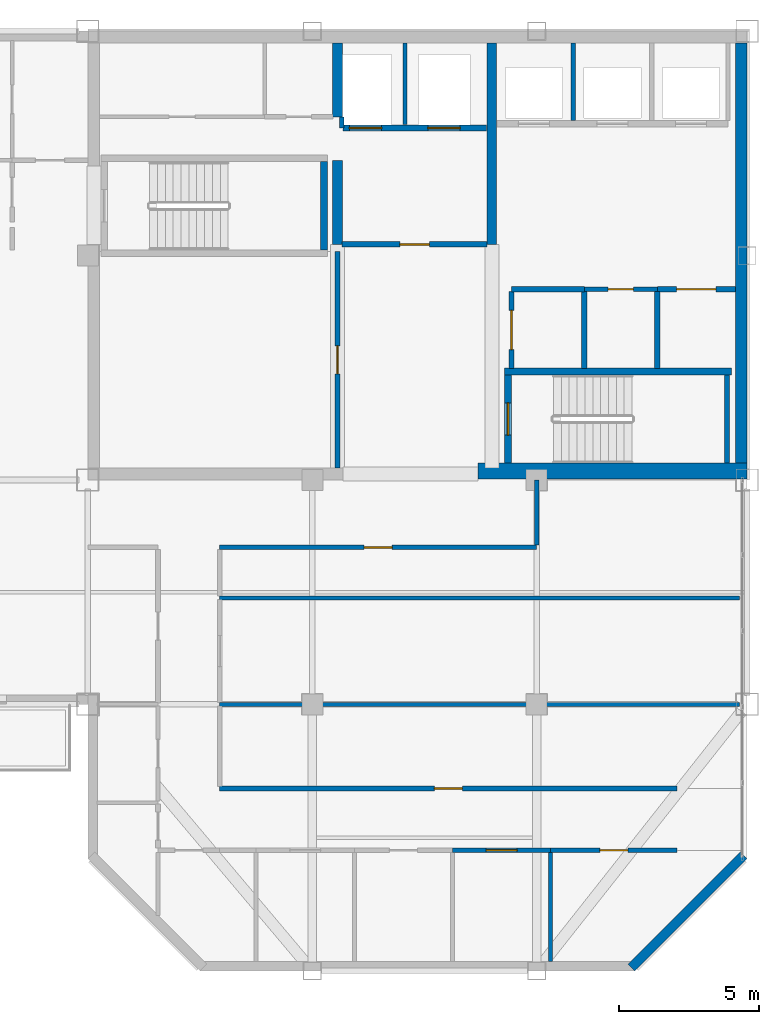
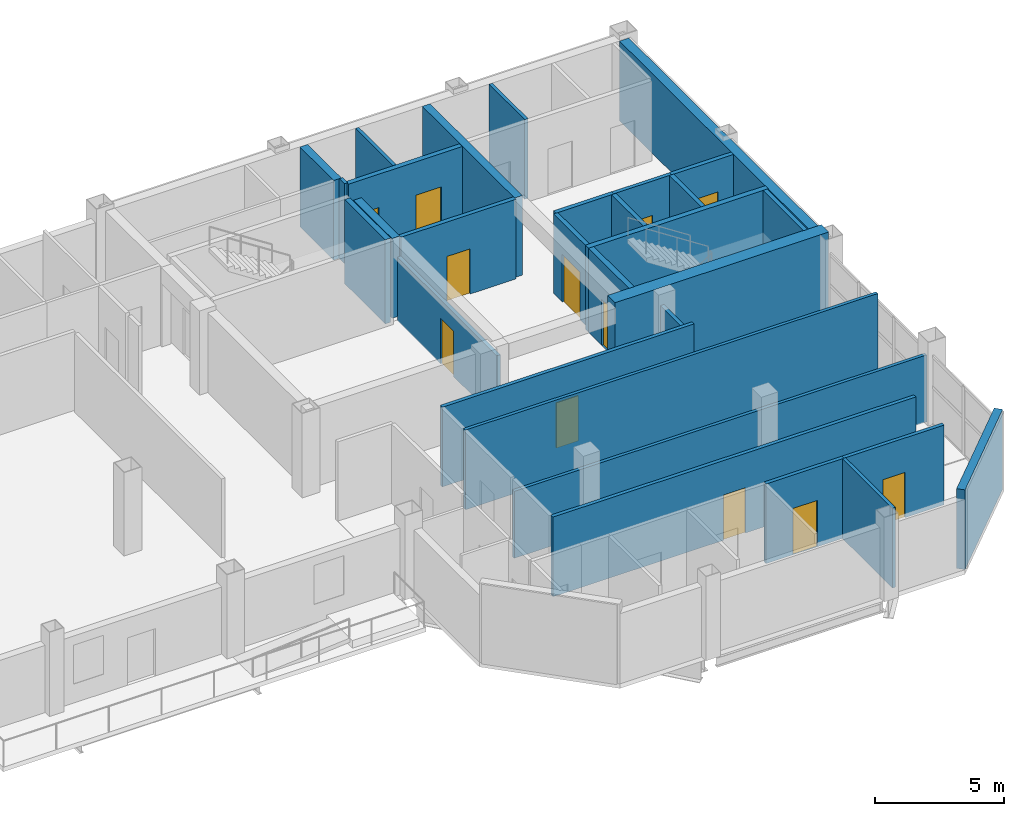
# One storey, part 9 of 13: 30 walls, 12 doors, 12 openings.
"""IFC4 building model written with IfcOpenShell, lengths in metres."""

from ifc_helpers import new_model, si_unit, direction, frame, frame_2d, origin, place, context, subcontext, project, spatial, rectangle, extrude, material, layer, layer_set, type_object, element, fill, save


model = new_model("IFC4")

# Units and contexts
model_context = context("Model", 3, precision=1e-05, world=origin(), true_north=direction((0.0, 1.0)))
body_context = subcontext(model_context, "Body", "Model", "MODEL_VIEW")
ifc_project = project(units=[si_unit("LENGTHUNIT", "METRE"), si_unit("AREAUNIT", "SQUARE_METRE"), si_unit("VOLUMEUNIT", "CUBIC_METRE"), si_unit("PLANEANGLEUNIT", "RADIAN"), si_unit("MASSUNIT", "GRAM", prefix="KILO")], contexts=[model_context])

# Site, building, storey
site_placement = place(None, origin())
site = spatial("IfcSite", under=ifc_project, at=site_placement, CompositionType="ELEMENT")
building_placement = place(site_placement, origin())
building = spatial("IfcBuilding", under=site, at=building_placement, Name="Qianrong Seaharbour Tower", CompositionType="ELEMENT")
storey_placement = place(building_placement, frame((0.0, 0.0, 291.199951171875)))
storey = spatial("IfcBuildingStorey", under=building, at=storey_placement, Name="L70", CompositionType="ELEMENT", Elevation=291.199951171875)

# Walls
ifc_material_1 = material(Name="Concrete C50/60", Category="concrete")
ifc_layer_1 = layer(ifc_material_1, 0.419921875)
ifc_layer_set_1 = layer_set([ifc_layer_1], Name="Concrete C50/60")
wall_type_1 = type_object("IfcWallType", Name="WALL-CORE-420", PredefinedType="SHEAR", material=ifc_layer_set_1)
wall_1_placement = place(storey_placement, frame((63.7900390625, 36.320068359375, 0.0), z_axis=(0.0, 0.0, 1.0), x_axis=(0.0, 1.0, 0.0)))
element("IfcWall", 1, at=wall_1_placement, inside=storey, type_object=wall_type_1, Name="L70 East Core Shear Wall", PredefinedType="SHEAR", context=body_context, shape_type="SweptSolid", body=[
    extrude(rectangle(XDim=15.260009765625, YDim=0.419921875, at=frame_2d((7.6298828125, 0.0))), origin(), (0.0, 0.0, 1.0), 3.78515625),
])
ifc_material_2 = material(Name="Concrete C70/85", Category="concrete")
ifc_layer_2 = layer(ifc_material_2, 0.580078125)
ifc_layer_set_2 = layer_set([ifc_layer_2], Name="Concrete C70/85")
wall_type_2 = type_object("IfcWallType", Name="WALL-CORE-580", PredefinedType="SHEAR", material=ifc_layer_set_2)
wall_2_placement = place(storey_placement, frame((54.39990234375, 36.320068359375, 0.0), z_axis=(0.0, 0.0, 1.0), x_axis=(1.0, 0.0, 0.0)))
element("IfcWall", 2, at=wall_2_placement, inside=storey, type_object=wall_type_2, Name="L70 South Core Shear Wall S3", PredefinedType="SHEAR", context=body_context, shape_type="SweptSolid", body=[
    extrude(rectangle(XDim=9.60009765625, YDim=0.580078125, at=frame_2d((4.800048828125, 0.0))), origin(), (0.0, 0.0, 1.0), 4.0),
])
ifc_layer_3 = layer(ifc_material_1, 0.35009765625)
ifc_layer_set_3 = layer_set([ifc_layer_3], Name="Concrete C50/60")
wall_type_3 = type_object("IfcWallType", Name="WALL-CORE-INT-350", PredefinedType="SHEAR", material=ifc_layer_set_3)
wall_3_placement = place(storey_placement, frame((49.39990234375, 44.39990234375, 0.0), z_axis=(0.0, 0.0, 1.0), x_axis=(0.0, 1.0, 0.0)))
element("IfcWall", 3, at=wall_3_placement, inside=storey, type_object=wall_type_3, Name="L70 Internal Core Shear Wall IW1N1", PredefinedType="SHEAR", context=body_context, shape_type="SweptSolid", body=[
    extrude(rectangle(XDim=3.0, YDim=0.35009765625, at=frame_2d((1.5, 0.0))), origin(), (0.0, 0.0, 1.0), 3.78515625),
])
wall_4_placement = place(storey_placement, frame((49.39990234375, 48.949951171875, 0.0), z_axis=(0.0, 0.0, 1.0), x_axis=(0.0, 1.0, 0.0)))
element("IfcWall", 4, at=wall_4_placement, inside=storey, type_object=wall_type_3, Name="L70 Internal Core Shear Wall IW1N2", PredefinedType="SHEAR", context=body_context, shape_type="SweptSolid", body=[
    extrude(rectangle(XDim=2.630126953125, YDim=0.35009765625, at=frame_2d((1.31494140625, 0.0))), origin(), (0.0, 0.0, 1.0), 3.78515625),
])
wall_5_placement = place(storey_placement, frame((54.89990234375, 44.39990234375, 0.0), z_axis=(0.0, 0.0, 1.0), x_axis=(0.0, 1.0, 0.0)))
element("IfcWall", 5, at=wall_5_placement, inside=storey, type_object=wall_type_3, Name="L70 Internal Core Shear Wall IW2N", PredefinedType="SHEAR", context=body_context, shape_type="SweptSolid", body=[
    extrude(rectangle(XDim=7.18017578125, YDim=0.35009765625, at=frame_2d((3.590087890625, 0.0))), origin(), (0.0, 0.0, 1.0), 3.78515625),
])

# Wall, opening, door
ifc_material_3 = material(Name="Fire-rated acoustic gypsum board partition")
ifc_layer_4 = layer(ifc_material_3, 0.1650390625)
ifc_layer_set_4 = layer_set([ifc_layer_4], Name="Fire-rated acoustic gypsum board partition")
wall_type_4 = type_object("IfcWallType", Name="WALL-CORR-PART-165", PredefinedType="PARTITIONING", material=ifc_layer_set_4)
wall_6_placement = place(storey_placement, frame((49.39990234375, 36.419921875, 0.0), z_axis=(0.0, 0.0, 1.0), x_axis=(0.0, 1.0, 0.0)))
wall_6 = element("IfcWall", 6, at=wall_6_placement, inside=storey, type_object=wall_type_4, Name="L70 Interior Partition Wall 010", PredefinedType="PARTITIONING", context=body_context, shape_type="SweptSolid", body=[
    extrude(rectangle(XDim=7.72998046875, YDim=0.1650390625, at=frame_2d((3.864990234375, 0.0))), origin(), (0.0, 0.0, 1.0), 3.027099609375),
])
opening_1_placement = place(wall_6_placement, frame((3.364990234375, 0.0, 0.0)))
opening_1 = element("IfcOpeningElement", 7, at=opening_1_placement, cuts=wall_6, Name="Opening DO-01", PredefinedType="OPENING", context=body_context, shape_type="SweptSolid", body=[
    extrude(rectangle(XDim=1.0, YDim=2.14990234375, at=frame_2d((0.5, 1.074951171875))), frame((0.0, 0.092529296875, 0.0), z_axis=(0.0, -1.0, 0.0), x_axis=(1.0, 0.0, 0.0)), (0.0, 0.0, 1.0), 0.18505859375),
])
ifc_material_4 = material(Name="Acoustic timber and galvanized steel fire door assembly", Category="steel")
door_type_1 = type_object("IfcDoorType", Name="DOOR-OFFICE-1000x2150", OperationType="NOTDEFINED", PredefinedType="DOOR", material=ifc_material_4)
door_1_placement = place(opening_1_placement, origin())
door_1 = element("IfcDoor", 8, at=door_1_placement, inside=storey, type_object=door_type_1, Name="L70 Data Systems Office Door", OperationType="SINGLE_SWING_LEFT", OverallHeight=2.14990234375, OverallWidth=1.0, PredefinedType="DOOR", context=body_context, shape_type="SweptSolid", body=[
    extrude(rectangle(XDim=1.0, YDim=2.14990234375, at=frame_2d((0.5, 1.074951171875))), frame((0.0, 0.02490234375, 0.0), z_axis=(0.0, -1.0, 0.0), x_axis=(1.0, 0.0, 0.0)), (0.0, 0.0, 1.0), 0.050048828125),
])
fill(opening_1, door_1)

wall_7_placement = place(storey_placement, frame((60.800048828125, 42.800048828125, 0.0), z_axis=(0.0, 0.0, 1.0), x_axis=(-1.0, 0.0, 0.0)))
wall_7 = element("IfcWall", 9, at=wall_7_placement, inside=storey, type_object=wall_type_4, Name="L70 Interior Partition Wall 013", PredefinedType="PARTITIONING", context=body_context, shape_type="SweptSolid", body=[
    extrude(rectangle(XDim=2.60009765625, YDim=0.1650390625, at=frame_2d((1.300048828125, 0.0))), origin(), (0.0, 0.0, 1.0), 3.78515625),
])
opening_2_placement = place(wall_7_placement, frame((0.85009765625, 0.0, 0.0)))
opening_2 = element("IfcOpeningElement", 10, at=opening_2_placement, cuts=wall_7, Name="Opening DS-01", PredefinedType="OPENING", context=body_context, shape_type="SweptSolid", body=[
    extrude(rectangle(XDim=0.89990234375, YDim=2.14990234375, at=frame_2d((0.449951171875, 1.074951171875))), frame((0.0, 0.092529296875, 0.0), z_axis=(0.0, -1.0, 0.0), x_axis=(1.0, 0.0, 0.0)), (0.0, 0.0, 1.0), 0.18505859375),
])
door_type_2 = type_object("IfcDoorType", Name="DOOR-STORE-900x2150", OperationType="NOTDEFINED", PredefinedType="DOOR", material=ifc_material_4)
door_2_placement = place(opening_2_placement, origin())
door_2 = element("IfcDoor", 11, at=door_2_placement, inside=storey, type_object=door_type_2, Name="L70 Supply Store Room Door", OperationType="SINGLE_SWING_RIGHT", OverallHeight=2.14990234375, OverallWidth=0.89990234375, PredefinedType="DOOR", context=body_context, shape_type="SweptSolid", body=[
    extrude(rectangle(XDim=0.89990234375, YDim=2.14990234375, at=frame_2d((0.449951171875, 1.074951171875))), frame((0.0, 0.02490234375, 0.0), z_axis=(0.0, -1.0, 0.0), x_axis=(1.0, 0.0, 0.0)), (0.0, 0.0, 1.0), 0.050048828125),
])
fill(opening_2, door_2)

# Wall
wall_8_placement = place(storey_placement, frame((56.5, 36.0, 0.0), z_axis=(0.0, 0.0, 1.0), x_axis=(0.0, -1.0, 0.0)))
element("IfcWall", 12, at=wall_8_placement, inside=storey, type_object=wall_type_4, Name="L70 Interior Partition Wall 025", PredefinedType="PARTITIONING", context=body_context, shape_type="SweptSolid", body=[
    extrude(rectangle(XDim=2.325439453125, YDim=0.1650390625, at=frame_2d((1.16259765625, 0.0))), origin(), (0.0, 0.0, 1.0), 3.177001953125),
])

# Wall, opening, door
wall_9_placement = place(storey_placement, frame((56.5, 33.60009765625, 0.0), z_axis=(0.0, 0.0, 1.0), x_axis=(-1.0, 0.0, 0.0)))
wall_9 = element("IfcWall", 13, at=wall_9_placement, inside=storey, type_object=wall_type_4, Name="L70 Interior Partition Wall 026", PredefinedType="PARTITIONING", context=body_context, shape_type="SweptSolid", body=[
    extrude(rectangle(XDim=11.300048828125, YDim=0.1650390625, at=frame_2d((5.64990234375, 0.0))), origin(), (0.0, 0.0, 1.0), 3.78515625),
])
opening_3_placement = place(wall_9_placement, frame((5.14990234375, 0.0, 0.0)))
opening_3 = element("IfcOpeningElement", 14, at=opening_3_placement, cuts=wall_9, Name="Opening DO-01", PredefinedType="OPENING", context=body_context, shape_type="SweptSolid", body=[
    extrude(rectangle(XDim=1.0, YDim=2.14990234375, at=frame_2d((0.5, 1.074951171875))), frame((0.0, 0.092529296875, 0.0), z_axis=(0.0, -1.0, 0.0), x_axis=(1.0, 0.0, 0.0)), (0.0, 0.0, 1.0), 0.18505859375),
])
door_3_placement = place(opening_3_placement, origin())
door_3 = element("IfcDoor", 15, at=door_3_placement, inside=storey, type_object=door_type_1, Name="L70 Focus Room 3 Door", OperationType="SINGLE_SWING_LEFT", OverallHeight=2.14990234375, OverallWidth=1.0, PredefinedType="DOOR", context=body_context, shape_type="SweptSolid", body=[
    extrude(rectangle(XDim=1.0, YDim=2.14990234375, at=frame_2d((0.5, 1.074951171875))), frame((0.0, 0.02490234375, 0.0), z_axis=(0.0, -1.0, 0.0), x_axis=(1.0, 0.0, 0.0)), (0.0, 0.0, 1.0), 0.050048828125),
])
fill(opening_3, door_3)

wall_10_placement = place(storey_placement, frame((45.199951171875, 25.0, 0.0), z_axis=(0.0, 0.0, 1.0), x_axis=(1.0, 0.0, 0.0)))
wall_10 = element("IfcWall", 16, at=wall_10_placement, inside=storey, type_object=wall_type_4, Name="L70 Interior Partition Wall 035", PredefinedType="PARTITIONING", context=body_context, shape_type="SweptSolid", body=[
    extrude(rectangle(XDim=16.300048828125, YDim=0.1650390625, at=frame_2d((8.14990234375, 0.0))), origin(), (0.0, 0.0, 1.0), 3.78515625),
])
opening_4_placement = place(wall_10_placement, frame((7.64990234375, 0.0, 0.0)))
opening_4 = element("IfcOpeningElement", 17, at=opening_4_placement, cuts=wall_10, Name="Opening DO-01", PredefinedType="OPENING", context=body_context, shape_type="SweptSolid", body=[
    extrude(rectangle(XDim=1.0, YDim=2.14990234375, at=frame_2d((0.5, 1.074951171875))), frame((0.0, 0.092529296875, 0.0), z_axis=(0.0, -1.0, 0.0), x_axis=(1.0, 0.0, 0.0)), (0.0, 0.0, 1.0), 0.18505859375),
])
door_4_placement = place(opening_4_placement, origin())
door_4 = element("IfcDoor", 18, at=door_4_placement, inside=storey, type_object=door_type_1, Name="L70 Executive Office 1 Door", OperationType="SINGLE_SWING_LEFT", OverallHeight=2.14990234375, OverallWidth=1.0, PredefinedType="DOOR", context=body_context, shape_type="SweptSolid", body=[
    extrude(rectangle(XDim=1.0, YDim=2.14990234375, at=frame_2d((0.5, 1.074951171875))), frame((0.0, 0.02490234375, 0.0), z_axis=(0.0, -1.0, 0.0), x_axis=(1.0, 0.0, 0.0)), (0.0, 0.0, 1.0), 0.050048828125),
])
fill(opening_4, door_4)

wall_11_placement = place(storey_placement, frame((57.0, 22.800048828125, 0.0), z_axis=(0.0, 0.0, 1.0), x_axis=(-1.0, 0.0, 0.0)))
wall_11 = element("IfcWall", 19, at=wall_11_placement, inside=storey, type_object=wall_type_4, Name="L70 Interior Partition Wall 039", PredefinedType="PARTITIONING", context=body_context, shape_type="SweptSolid", body=[
    extrude(rectangle(XDim=3.5, YDim=0.1650390625, at=frame_2d((1.75, 0.0))), origin(), (0.0, 0.0, 1.0), 3.78515625),
])
opening_5_placement = place(wall_11_placement, frame((1.199951171875, 0.0, 0.0)))
opening_5 = element("IfcOpeningElement", 20, at=opening_5_placement, cuts=wall_11, Name="Opening DM-01", PredefinedType="OPENING", context=body_context, shape_type="SweptSolid", body=[
    extrude(rectangle(XDim=1.10009765625, YDim=2.199951171875, at=frame_2d((0.550048828125, 1.10009765625))), frame((0.0, 0.092529296875, 0.0), z_axis=(0.0, -1.0, 0.0), x_axis=(1.0, 0.0, 0.0)), (0.0, 0.0, 1.0), 0.18505859375),
])
door_type_3 = type_object("IfcDoorType", Name="DOOR-MEET-1100x2200", OperationType="NOTDEFINED", PredefinedType="DOOR", material=ifc_material_4)
door_5_placement = place(opening_5_placement, origin())
door_5 = element("IfcDoor", 21, at=door_5_placement, inside=storey, type_object=door_type_3, Name="L70 Meeting Room 4 Door", OperationType="SINGLE_SWING_RIGHT", OverallHeight=2.199951171875, OverallWidth=1.10009765625, PredefinedType="DOOR", context=body_context, shape_type="SweptSolid", body=[
    extrude(rectangle(XDim=1.10009765625, YDim=2.199951171875, at=frame_2d((0.550048828125, 1.10009765625))), frame((0.0, 0.02490234375, 0.0), z_axis=(0.0, -1.0, 0.0), x_axis=(1.0, 0.0, 0.0)), (0.0, 0.0, 1.0), 0.050048828125),
])
fill(opening_5, door_5)

wall_12_placement = place(storey_placement, frame((61.5, 22.800048828125, 0.0), z_axis=(0.0, 0.0, 1.0), x_axis=(-1.0, 0.0, 0.0)))
wall_12 = element("IfcWall", 22, at=wall_12_placement, inside=storey, type_object=wall_type_4, Name="L70 Interior Partition Wall 040", PredefinedType="PARTITIONING", context=body_context, shape_type="SweptSolid", body=[
    extrude(rectangle(XDim=4.5, YDim=0.1650390625, at=frame_2d((2.25, 0.0))), origin(), (0.0, 0.0, 1.0), 3.78515625),
])
opening_6_placement = place(wall_12_placement, frame((1.75, 0.0, 0.0)))
opening_6 = element("IfcOpeningElement", 23, at=opening_6_placement, cuts=wall_12, Name="Opening DO-01", PredefinedType="OPENING", context=body_context, shape_type="SweptSolid", body=[
    extrude(rectangle(XDim=1.0, YDim=2.14990234375, at=frame_2d((0.5, 1.074951171875))), frame((0.0, 0.092529296875, 0.0), z_axis=(0.0, -1.0, 0.0), x_axis=(1.0, 0.0, 0.0)), (0.0, 0.0, 1.0), 0.18505859375),
])
door_6_placement = place(opening_6_placement, origin())
door_6 = element("IfcDoor", 24, at=door_6_placement, inside=storey, type_object=door_type_1, Name="L70 Executive Office 5 Door", OperationType="SINGLE_SWING_LEFT", OverallHeight=2.14990234375, OverallWidth=1.0, PredefinedType="DOOR", context=body_context, shape_type="SweptSolid", body=[
    extrude(rectangle(XDim=1.0, YDim=2.14990234375, at=frame_2d((0.5, 1.074951171875))), frame((0.0, 0.02490234375, 0.0), z_axis=(0.0, -1.0, 0.0), x_axis=(1.0, 0.0, 0.0)), (0.0, 0.0, 1.0), 0.050048828125),
])
fill(opening_6, door_6)

# Wall
ifc_material_5 = material(Name="Unitised buff brick on Precast concrete C45/55", Category="masonry")
ifc_layer_5 = layer(ifc_material_5, 0.340087890625)
ifc_layer_set_5 = layer_set([ifc_layer_5], Name="Unitised buff brick on Precast concrete C45/55")
wall_type_5 = type_object("IfcWallType", Name="WALL-EXT-BRICK-BUFF-340", PredefinedType="SOLIDWALL", material=ifc_layer_set_5)
wall_13_placement = place(storey_placement, frame((63.8798828125, 22.6201171875, 0.0), z_axis=(0.0, 0.0, 1.0), x_axis=(-0.707106781187, -0.707106781187, 0.0)))
element("IfcWall", 25, at=wall_13_placement, inside=storey, type_object=wall_type_5, Name="L70 Exterior Masonry Facade Wall E07", PredefinedType="SOLIDWALL", context=body_context, shape_type="SweptSolid", body=[
    extrude(rectangle(XDim=5.65673828125, YDim=0.340087890625, at=frame_2d((2.828369140625, 0.0))), origin(), (0.0, 0.0, 1.0), 3.78515625),
])

# Wall, opening, door
ifc_material_6 = material(Name="Double fire-rated gypsum board acoustic partition")
ifc_layer_6 = layer(ifc_material_6, 0.18994140625)
ifc_layer_set_6 = layer_set([ifc_layer_6], Name="Double fire-rated gypsum board acoustic partition")
wall_type_6 = type_object("IfcWallType", Name="WALL-FIRE-PART-190", PredefinedType="PARTITIONING", material=ifc_layer_set_6)
wall_14_placement = place(storey_placement, frame((54.73291015625, 44.39990234375, 0.0), z_axis=(0.0, 0.0, 1.0), x_axis=(-1.0, 0.0, 0.0)))
wall_14 = element("IfcWall", 26, at=wall_14_placement, inside=storey, type_object=wall_type_6, Name="L70 Interior Partition Wall 009", PredefinedType="PARTITIONING", context=body_context, shape_type="SweptSolid", body=[
    extrude(rectangle(XDim=5.166015625, YDim=0.18994140625, at=frame_2d((2.5830078125, 0.0))), origin(), (0.0, 0.0, 1.0), 3.78515625),
])
opening_7_placement = place(wall_14_placement, frame((2.05810546875, 0.0, 0.0)))
opening_7 = element("IfcOpeningElement", 27, at=opening_7_placement, cuts=wall_14, Name="Opening DC-01", PredefinedType="OPENING", context=body_context, shape_type="SweptSolid", body=[
    extrude(rectangle(XDim=1.050048828125, YDim=2.14990234375, at=frame_2d((0.52490234375, 1.074951171875))), frame((0.0, 0.10498046875, 0.0), z_axis=(0.0, -1.0, 0.0), x_axis=(1.0, 0.0, 0.0)), (0.0, 0.0, 1.0), 0.2099609375),
])
door_type_4 = type_object("IfcDoorType", Name="DOOR-CORR-FD60-1050x2150", OperationType="NOTDEFINED", PredefinedType="DOOR", material=ifc_material_4)
door_7_placement = place(opening_7_placement, origin())
door_7 = element("IfcDoor", 28, at=door_7_placement, inside=storey, type_object=door_type_4, Name="L70 Firefighting Lift Lobby Door", OperationType="SINGLE_SWING_RIGHT", OverallHeight=2.14990234375, OverallWidth=1.050048828125, PredefinedType="DOOR", context=body_context, shape_type="SweptSolid", body=[
    extrude(rectangle(XDim=1.050048828125, YDim=2.14990234375, at=frame_2d((0.52490234375, 1.074951171875))), frame((0.0, 0.02490234375, 0.0), z_axis=(0.0, -1.0, 0.0), x_axis=(1.0, 0.0, 0.0)), (0.0, 0.0, 1.0), 0.050048828125),
])
fill(opening_7, door_7)

wall_15_placement = place(storey_placement, frame((55.60009765625, 42.712890625, 0.0), z_axis=(0.0, 0.0, 1.0), x_axis=(0.0, -1.0, 0.0)))
wall_15 = element("IfcWall", 29, at=wall_15_placement, inside=storey, type_object=wall_type_6, Name="L70 Interior Partition Wall 011", PredefinedType="PARTITIONING", context=body_context, shape_type="SweptSolid", body=[
    extrude(rectangle(XDim=2.73095703125, YDim=0.18994140625, at=frame_2d((1.365478515625, 0.0))), origin(), (0.0, 0.0, 1.0), 3.78515625),
])
opening_8_placement = place(wall_15_placement, frame((0.66552734375, 0.0, 0.0)))
opening_8 = element("IfcOpeningElement", 30, at=opening_8_placement, cuts=wall_15, Name="Opening DP-01", PredefinedType="OPENING", context=body_context, shape_type="SweptSolid", body=[
    extrude(rectangle(XDim=1.39990234375, YDim=2.25, at=frame_2d((0.699951171875, 1.125))), frame((0.0, 0.10498046875, 0.0), z_axis=(0.0, -1.0, 0.0), x_axis=(1.0, 0.0, 0.0)), (0.0, 0.0, 1.0), 0.2099609375),
])
door_type_5 = type_object("IfcDoorType", Name="DOOR-PLANT-PAIR-1400x2250", OperationType="DOUBLE_DOOR_SINGLE_SWING", PredefinedType="DOOR", material=ifc_material_4)
door_8_placement = place(opening_8_placement, origin())
door_8 = element("IfcDoor", 31, at=door_8_placement, inside=storey, type_object=door_type_5, Name="L70 Core Telecom Room Door", OperationType="DOUBLE_DOOR_SINGLE_SWING", OverallHeight=2.25, OverallWidth=1.39990234375, PredefinedType="DOOR", context=body_context, shape_type="SweptSolid", body=[
    extrude(rectangle(XDim=1.39990234375, YDim=2.25, at=frame_2d((0.699951171875, 1.125))), frame((0.0, 0.02490234375, 0.0), z_axis=(0.0, -1.0, 0.0), x_axis=(1.0, 0.0, 0.0)), (0.0, 0.0, 1.0), 0.050048828125),
])
fill(opening_8, door_8)

# Wall
wall_16_placement = place(storey_placement, frame((58.199951171875, 42.800048828125, 0.0), z_axis=(0.0, 0.0, 1.0), x_axis=(-1.0, 0.0, 0.0)))
element("IfcWall", 32, at=wall_16_placement, inside=storey, type_object=wall_type_6, Name="L70 Interior Partition Wall 012", PredefinedType="PARTITIONING", context=body_context, shape_type="SweptSolid", body=[
    extrude(rectangle(XDim=2.599853515625, YDim=0.18994140625, at=frame_2d((1.2998046875, 0.0))), origin(), (0.0, 0.0, 1.0), 3.78515625),
])

# Wall, opening, door
wall_17_placement = place(storey_placement, frame((63.580078125, 42.800048828125, 0.0), z_axis=(0.0, 0.0, 1.0), x_axis=(-1.0, 0.0, 0.0)))
wall_17 = element("IfcWall", 33, at=wall_17_placement, inside=storey, type_object=wall_type_6, Name="L70 Interior Partition Wall 014", PredefinedType="PARTITIONING", context=body_context, shape_type="SweptSolid", body=[
    extrude(rectangle(XDim=2.780029296875, YDim=0.18994140625, at=frame_2d((1.39013671875, 0.0))), origin(), (0.0, 0.0, 1.0), 3.78515625),
])
opening_9_placement = place(wall_17_placement, frame((0.68994140625, 0.0, 0.0)))
opening_9 = element("IfcOpeningElement", 34, at=opening_9_placement, cuts=wall_17, Name="Opening DP-01", PredefinedType="OPENING", context=body_context, shape_type="SweptSolid", body=[
    extrude(rectangle(XDim=1.39990234375, YDim=2.25, at=frame_2d((0.699951171875, 1.125))), frame((0.0, 0.10498046875, 0.0), z_axis=(0.0, -1.0, 0.0), x_axis=(1.0, 0.0, 0.0)), (0.0, 0.0, 1.0), 0.2099609375),
])
door_9_placement = place(opening_9_placement, origin())
door_9 = element("IfcDoor", 35, at=door_9_placement, inside=storey, type_object=door_type_5, Name="L70 Building Metering Room Door", OperationType="DOUBLE_DOOR_SINGLE_SWING", OverallHeight=2.25, OverallWidth=1.39990234375, PredefinedType="DOOR", context=body_context, shape_type="SweptSolid", body=[
    extrude(rectangle(XDim=1.39990234375, YDim=2.25, at=frame_2d((0.699951171875, 1.125))), frame((0.0, 0.02490234375, 0.0), z_axis=(0.0, -1.0, 0.0), x_axis=(1.0, 0.0, 0.0)), (0.0, 0.0, 1.0), 0.050048828125),
])
fill(opening_9, door_9)

# Walls
for number, where, z_axis, x_axis, name in (
    (36, (58.199951171875, 42.712890625, 0.0), (0.0, 0.0, 1.0), (0.0, -1.0, 0.0), "L70 Interior Partition Wall 016"),
    (37, (60.800048828125, 42.712890625, 0.0), (0.0, 0.0, 1.0), (0.0, -1.0, 0.0), "L70 Interior Partition Wall 017"),
):
    element("IfcWall", number, at=place(storey_placement, frame(where, z_axis=z_axis, x_axis=x_axis)), inside=storey, type_object=wall_type_6, Name=name, PredefinedType="PARTITIONING", context=body_context, shape_type="SweptSolid", body=[
        extrude(rectangle(XDim=2.73095703125, YDim=0.18994140625, at=frame_2d((1.365478515625, 0.0))), origin(), (0.0, 0.0, 1.0), 3.78515625),
    ])
ifc_material_7 = material(Name="Acoustic gypsum board stud partition")
ifc_layer_7 = layer(ifc_material_7, 0.14501953125)
ifc_layer_set_7 = layer_set([ifc_layer_7], Name="Acoustic gypsum board stud partition")
wall_type_7 = type_object("IfcWallType", Name="WALL-OFFICE-PART-145", PredefinedType="PARTITIONING", material=ifc_layer_set_7)
wall_18_placement = place(storey_placement, frame((45.199951171875, 28.0, 0.0), z_axis=(0.0, 0.0, 1.0), x_axis=(1.0, 0.0, 0.0)))
element("IfcWall", 38, at=wall_18_placement, inside=storey, type_object=wall_type_7, Name="L70 Interior Partition Wall 046", PredefinedType="PARTITIONING", context=body_context, shape_type="SweptSolid", body=[
    extrude(rectangle(XDim=18.528076171875, YDim=0.14501953125, at=frame_2d((9.26416015625, 0.0))), origin(), (0.0, 0.0, 1.0), 3.177001953125),
])
wall_19_placement = place(storey_placement, frame((45.199951171875, 31.800048828125, 0.0), z_axis=(0.0, 0.0, 1.0), x_axis=(1.0, 0.0, 0.0)))
element("IfcWall", 39, at=wall_19_placement, inside=storey, type_object=wall_type_7, Name="L70 Interior Partition Wall 047", PredefinedType="PARTITIONING", context=body_context, shape_type="SweptSolid", body=[
    extrude(rectangle(XDim=18.528076171875, YDim=0.14501953125, at=frame_2d((9.26416015625, 0.0))), origin(), (0.0, 0.0, 1.0), 3.78515625),
])
wall_20_placement = place(storey_placement, frame((57.0, 22.7255859375, 0.0), z_axis=(0.0, 0.0, 1.0), x_axis=(0.0, -1.0, 0.0)))
element("IfcWall", 40, at=wall_20_placement, inside=storey, type_object=wall_type_7, Name="L70 Interior Partition Wall 054", PredefinedType="PARTITIONING", context=body_context, shape_type="SweptSolid", body=[
    extrude(rectangle(XDim=3.8935546875, YDim=0.14501953125, at=frame_2d((1.94677734375, 0.0))), origin(), (0.0, 0.0, 1.0), 3.78515625),
])
ifc_material_8 = material(Name="Fire-rated gypsum board on steel studs", Category="steel")
ifc_layer_8 = layer(ifc_material_8, 0.14990234375)
ifc_layer_set_8 = layer_set([ifc_layer_8], Name="Fire-rated gypsum board on steel studs")
wall_type_8 = type_object("IfcWallType", Name="WALL-SHAFT-DIV-150", PredefinedType="PARTITIONING", material=ifc_layer_set_8)
wall_21_placement = place(storey_placement, frame((51.800048828125, 48.669921875, 0.0), z_axis=(0.0, 0.0, 1.0), x_axis=(0.0, 1.0, 0.0)))
element("IfcWall", 41, at=wall_21_placement, inside=storey, type_object=wall_type_8, Name="L70 Firefighting Lift Shaft Divider Wall", PredefinedType="PARTITIONING", context=body_context, shape_type="SweptSolid", body=[
    extrude(rectangle(XDim=2.91015625, YDim=0.14990234375, at=frame_2d((1.455078125, 0.0))), origin(), (0.0, 0.0, 1.0), 3.78515625),
])
wall_22_placement = place(storey_placement, frame((49.550048828125, 48.550048828125, 0.0), z_axis=(0.0, 0.0, 1.0), x_axis=(0.0, 1.0, 0.0)))
element("IfcWall", 42, at=wall_22_placement, inside=storey, type_object=wall_type_8, Name="L70 Firefighting Lift Shaft West Return Wall", PredefinedType="PARTITIONING", context=body_context, shape_type="SweptSolid", body=[
    extrude(rectangle(XDim=0.39990234375, YDim=0.14990234375, at=frame_2d((0.199951171875, 0.0))), origin(), (0.0, 0.0, 1.0), 3.78515625),
])
wall_23_placement = place(storey_placement, frame((57.800048828125, 48.81005859375, 0.0), z_axis=(0.0, 0.0, 1.0), x_axis=(0.0, 1.0, 0.0)))
element("IfcWall", 43, at=wall_23_placement, inside=storey, type_object=wall_type_8, Name="L70 P4 Lift Hoistway Divider 2", PredefinedType="PARTITIONING", context=body_context, shape_type="SweptSolid", body=[
    extrude(rectangle(XDim=2.77001953125, YDim=0.14990234375, at=frame_2d((1.385009765625, 0.0))), origin(), (0.0, 0.0, 1.0), 3.78515625),
])

# Wall, openings, doors
ifc_layer_9 = layer(ifc_material_8, 0.219970703125)
ifc_layer_set_9 = layer_set([ifc_layer_9], Name="Fire-rated gypsum board on steel studs")
wall_type_9 = type_object("IfcWallType", Name="WALL-SHAFT-GYP220", PredefinedType="PARTITIONING", material=ifc_layer_set_9)
wall_24_placement = place(storey_placement, frame((54.7099609375, 48.550048828125, 0.0), z_axis=(0.0, 0.0, 1.0), x_axis=(-1.0, 0.0, 0.0)))
wall_24 = element("IfcWall", 44, at=wall_24_placement, inside=storey, type_object=wall_type_9, Name="L70 Firefighting Lift Shaft Front Wall", PredefinedType="PARTITIONING", context=body_context, shape_type="SweptSolid", body=[
    extrude(rectangle(XDim=5.119873046875, YDim=0.219970703125, at=frame_2d((2.56005859375, 0.0))), origin(), (0.0, 0.0, 1.0), 3.78515625),
])
opening_10_placement = place(wall_24_placement, frame((3.735107421875, 0.0, 0.0)))
opening_10 = element("IfcOpeningElement", 45, at=opening_10_placement, cuts=wall_24, Name="Opening LD-01", PredefinedType="OPENING", context=body_context, shape_type="SweptSolid", body=[
    extrude(rectangle(XDim=1.14990234375, YDim=2.199951171875, at=frame_2d((0.574951171875, 1.10009765625))), frame((0.0, 0.1201171875, 0.0), z_axis=(0.0, -1.0, 0.0), x_axis=(1.0, 0.0, 0.0)), (0.0, 0.0, 1.0), 0.239990234375),
])
opening_11_placement = place(wall_24_placement, frame((0.93505859375, 0.0, 0.0)))
opening_11 = element("IfcOpeningElement", 46, at=opening_11_placement, cuts=wall_24, Name="Opening LD-01", PredefinedType="OPENING", context=body_context, shape_type="SweptSolid", body=[
    extrude(rectangle(XDim=1.14990234375, YDim=2.199951171875, at=frame_2d((0.574951171875, 1.10009765625))), frame((0.0, 0.1201171875, 0.0), z_axis=(0.0, -1.0, 0.0), x_axis=(1.0, 0.0, 0.0)), (0.0, 0.0, 1.0), 0.239990234375),
])
ifc_material_9 = material(Name="Stainless steel SUS316L bi-parting lift landing door", Category="steel")
door_type_6 = type_object("IfcDoorType", Name="DOOR-LIFT-FF-1150x2200", OperationType="DOUBLE_DOOR_SLIDING", PredefinedType="DOOR", material=ifc_material_9)
door_10_placement = place(opening_10_placement, origin())
door_10 = element("IfcDoor", 47, at=door_10_placement, inside=storey, type_object=door_type_6, Name="L70 FL-1 Firefighting Lift Landing Door", OperationType="DOUBLE_DOOR_SLIDING", OverallHeight=2.199951171875, OverallWidth=1.14990234375, PredefinedType="DOOR", context=body_context, shape_type="SweptSolid", body=[
    extrude(rectangle(XDim=1.14990234375, YDim=2.199951171875, at=frame_2d((0.574951171875, 1.10009765625))), frame((0.0, 0.02490234375, 0.0), z_axis=(0.0, -1.0, 0.0), x_axis=(1.0, 0.0, 0.0)), (0.0, 0.0, 1.0), 0.050048828125),
])
fill(opening_10, door_10)
door_11_placement = place(opening_11_placement, origin())
door_11 = element("IfcDoor", 48, at=door_11_placement, inside=storey, type_object=door_type_6, Name="L70 FL-2 Firefighting Lift Landing Door", OperationType="DOUBLE_DOOR_SLIDING", OverallHeight=2.199951171875, OverallWidth=1.14990234375, PredefinedType="DOOR", context=body_context, shape_type="SweptSolid", body=[
    extrude(rectangle(XDim=1.14990234375, YDim=2.199951171875, at=frame_2d((0.574951171875, 1.10009765625))), frame((0.0, 0.02490234375, 0.0), z_axis=(0.0, -1.0, 0.0), x_axis=(1.0, 0.0, 0.0)), (0.0, 0.0, 1.0), 0.050048828125),
])
fill(opening_11, door_11)

# Walls
ifc_layer_10 = layer(ifc_material_1, 0.239990234375)
ifc_layer_set_10 = layer_set([ifc_layer_10], Name="Concrete C50/60")
wall_type_10 = type_object("IfcWallType", Name="WALL-SHAFT-RC240", PredefinedType="SOLIDWALL", material=ifc_layer_set_10)
wall_25_placement = place(storey_placement, frame((48.919921875, 44.199951171875, 0.0), z_axis=(0.0, 0.0, 1.0), x_axis=(0.0, 1.0, 0.0)))
element("IfcWall", 49, at=wall_25_placement, inside=storey, type_object=wall_type_10, Name="L70 ST-1 Structural Stair Core Wall E", PredefinedType="SOLIDWALL", context=body_context, shape_type="SweptSolid", body=[
    extrude(rectangle(XDim=3.150146484375, YDim=0.239990234375, at=frame_2d((1.5751953125, 0.0))), origin(), (0.0, 0.0, 1.0), 4.0),
])
wall_26_placement = place(storey_placement, frame((55.360107421875, 39.8701171875, 0.0), z_axis=(0.0, 0.0, 1.0), x_axis=(1.0, 0.0, 0.0)))
element("IfcWall", 50, at=wall_26_placement, inside=storey, type_object=wall_type_10, Name="L70 ST-2 Structural Stair Core Wall N", PredefinedType="SOLIDWALL", context=body_context, shape_type="SweptSolid", body=[
    extrude(rectangle(XDim=8.079833984375, YDim=0.239990234375, at=frame_2d((4.0400390625, 0.0))), origin(), (0.0, 0.0, 1.0), 4.0),
])

# Wall, opening, door
wall_27_placement = place(storey_placement, frame((55.47998046875, 39.75, 0.0), z_axis=(0.0, 0.0, 1.0), x_axis=(0.0, -1.0, 0.0)))
wall_27 = element("IfcWall", 51, at=wall_27_placement, inside=storey, type_object=wall_type_10, Name="L70 ST-2 Structural Stair Core Wall W", PredefinedType="SOLIDWALL", context=body_context, shape_type="SweptSolid", body=[
    extrude(rectangle(XDim=3.14990234375, YDim=0.239990234375, at=frame_2d((1.574951171875, 0.0))), origin(), (0.0, 0.0, 1.0), 4.0),
])
opening_12_placement = place(wall_27_placement, frame((1.0, 0.0, 0.0)))
opening_12 = element("IfcOpeningElement", 52, at=opening_12_placement, cuts=wall_27, Name="Opening SD-01", PredefinedType="OPENING", context=body_context, shape_type="SweptSolid", body=[
    extrude(rectangle(XDim=1.14990234375, YDim=2.199951171875, at=frame_2d((0.574951171875, 1.10009765625))), frame((0.0, 0.1298828125, 0.0), z_axis=(0.0, -1.0, 0.0), x_axis=(1.0, 0.0, 0.0)), (0.0, 0.0, 1.0), 0.260009765625),
])
door_type_7 = type_object("IfcDoorType", Name="DOOR-STAIR-FD60-1150x2200", OperationType="NOTDEFINED", PredefinedType="DOOR", material=ifc_material_4)
door_12_placement = place(opening_12_placement, origin())
door_12 = element("IfcDoor", 53, at=door_12_placement, inside=storey, type_object=door_type_7, Name="L70 ST-2 Protected Stair Door", OperationType="SINGLE_SWING_LEFT", OverallHeight=2.199951171875, OverallWidth=1.14990234375, PredefinedType="DOOR", context=body_context, shape_type="SweptSolid", body=[
    extrude(rectangle(XDim=1.14990234375, YDim=2.199951171875, at=frame_2d((0.574951171875, 1.10009765625))), frame((0.0, 0.02490234375, 0.0), z_axis=(0.0, -1.0, 0.0), x_axis=(1.0, 0.0, 0.0)), (0.0, 0.0, 1.0), 0.050048828125),
])
fill(opening_12, door_12)

# Wall
wall_28_placement = place(storey_placement, frame((63.2900390625, 36.60009765625, 0.0), z_axis=(0.0, 0.0, 1.0), x_axis=(0.0, 1.0, 0.0)))
element("IfcWall", 54, at=wall_28_placement, inside=storey, type_object=wall_type_10, Name="L70 ST-2 Structural Stair Core Wall E", PredefinedType="SOLIDWALL", context=body_context, shape_type="SweptSolid", body=[
    extrude(rectangle(XDim=3.14990234375, YDim=0.179931640625, at=frame_2d((1.574951171875, 0.0))), origin(), (0.0, 0.0, 1.0), 4.0),
])

save(model, "model.ifc")
